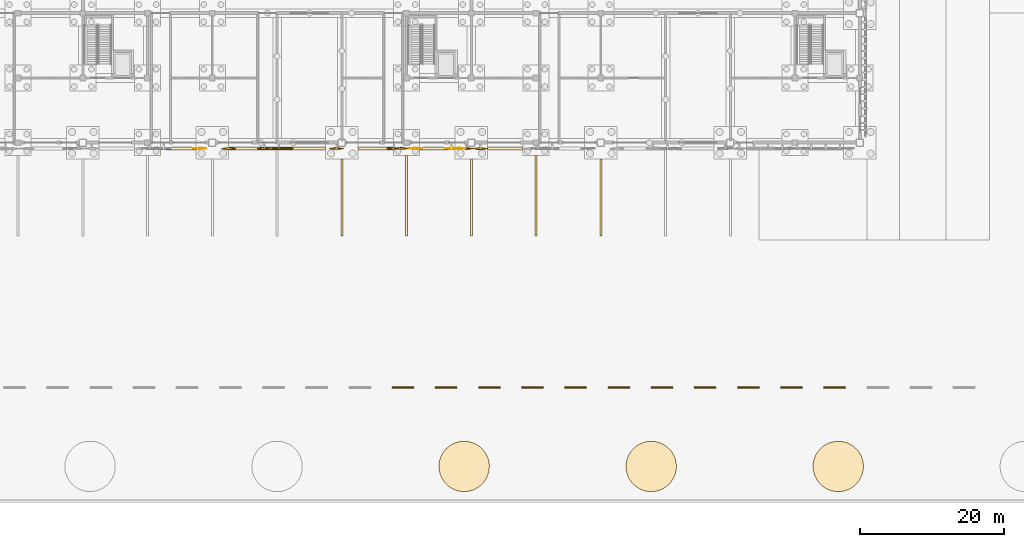
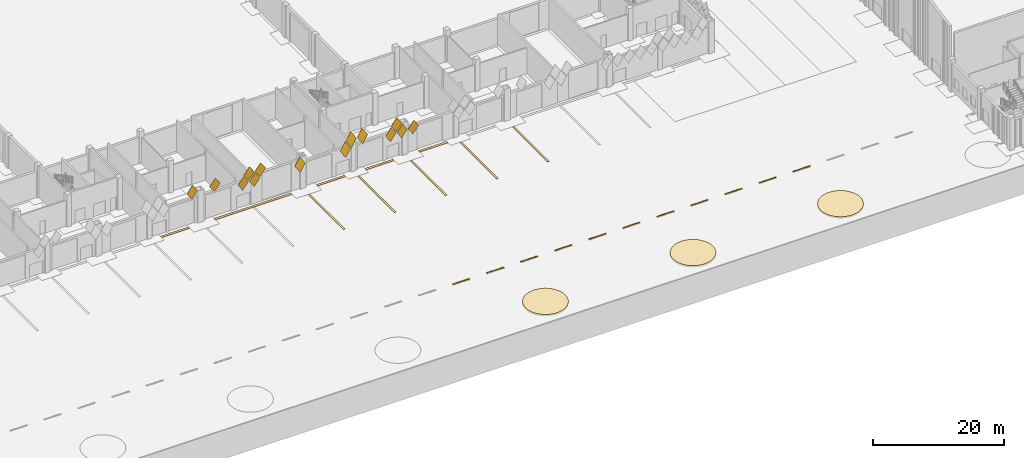
# One storey, part 159 of 198: 38 coverings.
"""IFC4 building model written with IfcOpenShell, lengths in metres."""

from ifc_helpers import new_model, si_unit, direction, frame, origin, place, context, subcontext, project, spatial, polyline, outline, extrude, material, layer, layer_set, material_profile, profile_set, type_object, element, save


model = new_model("IFC4")

# Units and contexts
model_context = context("Model", 3, precision=1e-05, world=origin(), true_north=direction((0.0, 1.0)))
body_context = subcontext(model_context, "Body", "Model", "MODEL_VIEW")
ifc_project = project(units=[si_unit("LENGTHUNIT", "METRE"), si_unit("AREAUNIT", "SQUARE_METRE"), si_unit("VOLUMEUNIT", "CUBIC_METRE"), si_unit("PLANEANGLEUNIT", "RADIAN"), si_unit("MASSUNIT", "GRAM", prefix="KILO")], contexts=[model_context])

# Site, building, storey
site_placement = place(None, origin())
site = spatial("IfcSite", under=ifc_project, at=site_placement, CompositionType="ELEMENT")
building_placement = place(site_placement, origin())
building = spatial("IfcBuilding", under=site, at=building_placement, Name="Opaline Strait Convention Centre", CompositionType="ELEMENT")
storey_placement = place(building_placement, origin())
storey = spatial("IfcBuildingStorey", under=building, at=storey_placement, Name="L00", CompositionType="ELEMENT", Elevation=0.0)

# Coverings
ifc_material_1 = material(Name="White ceramic-faced aluminium tile", Category="aluminium")
ifc_material_profile_1 = material_profile(ifc_material_1, outline(polyline([(0.927978515625, 0.0), (0.0, 1.39208984375), (-0.927978515625, 0.0), (0.0, -1.39208984375), (0.927978515625, 0.0)])), Name="Diamond tile 1856x2784")
ifc_profile_set_1 = profile_set([ifc_material_profile_1], Name="White ceramic-faced aluminium tile")
covering_type_1 = type_object("IfcCoveringType", Name="Diamond wall tile 1856x2784x30 pivot 3.5 deg", PredefinedType="CLADDING", material=ifc_profile_set_1)
for number, where, z_axis, x_axis, name in (
    (1, (204.25, 53.199951171875, 4.89208984375), (0.0, -0.99785694905, -0.065433242561), (1.0, 0.0, 0.0), "Wall tile XT07 S"),
    (2, (169.25, 53.199951171875, 6.39208984375), (0.0, -0.99785694905, -0.065433242561), (1.0, 0.0, 0.0), "Wall tile XT07 S"),
    (3, (205.25, 53.199951171875, 6.39208984375), (0.0, -0.99785694905, -0.065433242561), (1.0, 0.0, 0.0), "Wall tile XT07 S"),
):
    element("IfcCovering", number, at=place(storey_placement, frame(where, z_axis=z_axis, x_axis=x_axis)), inside=storey, type_object=covering_type_1, Name=name, PredefinedType="CLADDING", context=body_context, shape_type="SweptSolid", body=[
        extrude(outline(polyline([(0.927978515625, 0.0), (0.0, 1.39208984375), (-0.927978515625, 0.0), (0.0, -1.39208984375), (0.927978515625, 0.0)])), origin(), (0.0, 0.0, 1.0), 0.02978515625),
    ])
ifc_material_profile_2 = material_profile(ifc_material_1, outline(polyline([(0.927978515625, 0.0), (0.0, 1.39208984375), (-0.927978515625, 0.0), (0.0, -1.39208984375), (0.927978515625, 0.0)])), Name="Diamond tile 1856x2784")
ifc_profile_set_2 = profile_set([ifc_material_profile_2], Name="White ceramic-faced aluminium tile")
covering_type_2 = type_object("IfcCoveringType", Name="Diamond wall tile 1856x2784x30 pivot 4.5 deg", PredefinedType="CLADDING", material=ifc_profile_set_2)
covering_1_placement = place(storey_placement, frame((199.25, 53.199951171875, 6.39208984375), z_axis=(0.0, -0.997290013252, 0.073570574748), x_axis=(1.0, 0.0, 0.0)))
element("IfcCovering", 4, at=covering_1_placement, inside=storey, type_object=covering_type_2, Name="Wall tile XT09 S", PredefinedType="CLADDING", context=body_context, shape_type="SweptSolid", body=[
    extrude(outline(polyline([(0.927978515625, 0.0), (0.0, 1.39208984375), (-0.927978515625, 0.0), (0.0, -1.39208984375), (0.927978515625, 0.0)])), origin(), (0.0, 0.0, 1.0), 0.02978515625),
])
ifc_material_profile_3 = material_profile(ifc_material_1, outline(polyline([(0.927978515625, 0.0), (0.0, 1.39208984375), (-0.927978515625, 0.0), (0.0, -1.39208984375), (0.927978515625, 0.0)])), Name="Diamond tile 1856x2784")
ifc_profile_set_3 = profile_set([ifc_material_profile_3], Name="White ceramic-faced aluminium tile")
covering_type_3 = type_object("IfcCoveringType", Name="Diamond wall tile 1856x2784x30 pivot 5 deg", PredefinedType="CLADDING", material=ifc_profile_set_3)
for number, where, z_axis, x_axis, name in (
    (5, (180.25, 53.199951171875, 4.89208984375), (0.0, -0.995959849254, -0.089799658539), (1.0, 0.0, 0.0), "Wall tile XT10 S"),
    (6, (181.25, 53.199951171875, 6.39208984375), (0.0, -0.995959849254, -0.089799658539), (1.0, 0.0, 0.0), "Wall tile XT10 S"),
):
    element("IfcCovering", number, at=place(storey_placement, frame(where, z_axis=z_axis, x_axis=x_axis)), inside=storey, type_object=covering_type_3, Name=name, PredefinedType="CLADDING", context=body_context, shape_type="SweptSolid", body=[
        extrude(outline(polyline([(0.927978515625, 0.0), (0.0, 1.39208984375), (-0.927978515625, 0.0), (0.0, -1.39208984375), (0.927978515625, 0.0)])), origin(), (0.0, 0.0, 1.0), 0.02978515625),
    ])
ifc_material_profile_4 = material_profile(ifc_material_1, outline(polyline([(0.927978515625, 0.0), (0.0, 1.39208984375), (-0.927978515625, 0.0), (0.0, -1.39208984375), (0.927978515625, 0.0)])), Name="Diamond tile 1856x2784")
ifc_profile_set_4 = profile_set([ifc_material_profile_4], Name="White ceramic-faced aluminium tile")
covering_type_4 = type_object("IfcCoveringType", Name="Diamond wall tile 1856x2784x30 pivot 5.5 deg", PredefinedType="CLADDING", material=ifc_profile_set_4)
covering_2_placement = place(storey_placement, frame((206.25, 53.199951171875, 4.89208984375), z_axis=(0.0, -0.995197410875, -0.097888269922), x_axis=(1.0, 0.0, 0.0)))
element("IfcCovering", 7, at=covering_2_placement, inside=storey, type_object=covering_type_4, Name="Wall tile XT11 S", PredefinedType="CLADDING", context=body_context, shape_type="SweptSolid", body=[
    extrude(outline(polyline([(0.927978515625, 0.0), (0.0, 1.39208984375), (-0.927978515625, 0.0), (0.0, -1.39208984375), (0.927978515625, 0.0)])), origin(), (0.0, 0.0, 1.0), 0.030029296875),
])
ifc_material_profile_5 = material_profile(ifc_material_1, outline(polyline([(0.927978515625, 0.0), (0.0, 1.39208984375), (-0.927978515625, 0.0), (0.0, -1.39208984375), (0.927978515625, 0.0)])), Name="Diamond tile 1856x2784")
ifc_profile_set_5 = profile_set([ifc_material_profile_5], Name="White ceramic-faced aluminium tile")
covering_type_5 = type_object("IfcCoveringType", Name="Diamond wall tile 1856x2784x30 pivot 6 deg", PredefinedType="CLADDING", material=ifc_profile_set_5)
covering_3_placement = place(storey_placement, frame((188.25, 53.199951171875, 4.89208984375), z_axis=(0.0, -0.995197410875, 0.097888269922), x_axis=(1.0, 0.0, 0.0)))
element("IfcCovering", 8, at=covering_3_placement, inside=storey, type_object=covering_type_5, Name="Wall tile XT12 S", PredefinedType="CLADDING", context=body_context, shape_type="SweptSolid", body=[
    extrude(outline(polyline([(0.927978515625, 0.0), (0.0, 1.39208984375), (-0.927978515625, 0.0), (0.0, -1.39208984375), (0.927978515625, 0.0)])), origin(), (0.0, 0.0, 1.0), 0.030029296875),
])
ifc_material_profile_6 = material_profile(ifc_material_1, outline(polyline([(0.927978515625, 0.0), (0.0, 1.39208984375), (-0.927978515625, 0.0), (0.0, -1.39208984375), (0.927978515625, 0.0)])), Name="Diamond tile 1856x2784")
ifc_profile_set_6 = profile_set([ifc_material_profile_6], Name="White ceramic-faced aluminium tile")
covering_type_6 = type_object("IfcCoveringType", Name="Diamond wall tile 1856x2784x30 pivot 6.5 deg", PredefinedType="CLADDING", material=ifc_profile_set_6)
for number, where, z_axis, x_axis, name in (
    (9, (196.25, 53.199951171875, 4.89208984375), (0.0, -0.993480071526, 0.114005909847), (1.0, 0.0, 0.0), "Wall tile XT13 S"),
    (10, (197.25, 53.199951171875, 6.39208984375), (0.0, -0.993480071526, 0.114005909847), (1.0, 0.0, 0.0), "Wall tile XT13 S"),
):
    element("IfcCovering", number, at=place(storey_placement, frame(where, z_axis=z_axis, x_axis=x_axis)), inside=storey, type_object=covering_type_6, Name=name, PredefinedType="CLADDING", context=body_context, shape_type="SweptSolid", body=[
        extrude(outline(polyline([(0.927978515625, 0.0), (0.0, 1.39208984375), (-0.927978515625, 0.0), (0.0, -1.39208984375), (0.927978515625, 0.0)])), origin(), (0.0, 0.0, 1.0), 0.030029296875),
    ])
ifc_material_profile_7 = material_profile(ifc_material_1, outline(polyline([(0.927978515625, 0.0), (0.0, 1.39208984375), (-0.927978515625, 0.0), (0.0, -1.39208984375), (0.927978515625, 0.0)])), Name="Diamond tile 1856x2784")
ifc_profile_set_7 = profile_set([ifc_material_profile_7], Name="White ceramic-faced aluminium tile")
covering_type_7 = type_object("IfcCoveringType", Name="Diamond wall tile 1856x2784x30 pivot 7 deg", PredefinedType="CLADDING", material=ifc_profile_set_7)
for number, where, z_axis, x_axis, name in (
    (11, (178.25, 53.199951171875, 4.89208984375), (0.0, -0.992526177815, -0.122031907108), (1.0, 0.0, 0.0), "Wall tile XT14 S"),
    (12, (208.25, 53.199951171875, 4.89208984375), (0.0, -0.992526177815, -0.122031907108), (1.0, 0.0, 0.0), "Wall tile XT14 S"),
    (13, (179.25, 53.199951171875, 6.39208984375), (0.0, -0.992526177815, -0.122031907108), (1.0, 0.0, 0.0), "Wall tile XT14 S"),
):
    element("IfcCovering", number, at=place(storey_placement, frame(where, z_axis=z_axis, x_axis=x_axis)), inside=storey, type_object=covering_type_7, Name=name, PredefinedType="CLADDING", context=body_context, shape_type="SweptSolid", body=[
        extrude(outline(polyline([(0.927978515625, 0.0), (0.0, 1.39208984375), (-0.927978515625, 0.0), (0.0, -1.39208984375), (0.927978515625, 0.0)])), origin(), (0.0, 0.0, 1.0), 0.030029296875),
    ])
ifc_material_profile_8 = material_profile(ifc_material_1, outline(polyline([(0.927978515625, 0.0), (0.0, 1.39208984375), (-0.927978515625, 0.0), (0.0, -1.39208984375), (0.927978515625, 0.0)])), Name="Diamond tile 1856x2784")
ifc_profile_set_8 = profile_set([ifc_material_profile_8], Name="White ceramic-faced aluminium tile")
covering_type_8 = type_object("IfcCoveringType", Name="Diamond wall tile 1856x2784x30 pivot 7.5 deg", PredefinedType="CLADDING", material=ifc_profile_set_8)
covering_4_placement = place(storey_placement, frame((173.25, 53.199951171875, 6.39208984375), z_axis=(0.0, -0.991509530601, -0.1300340368), x_axis=(1.0, 0.0, 0.0)))
element("IfcCovering", 14, at=covering_4_placement, inside=storey, type_object=covering_type_8, Name="Wall tile XT15 S", PredefinedType="CLADDING", context=body_context, shape_type="SweptSolid", body=[
    extrude(outline(polyline([(0.927978515625, 0.0), (0.0, 1.39208984375), (-0.927978515625, 0.0), (0.0, -1.39208984375), (0.927978515625, 0.0)])), origin(), (0.0, 0.0, 1.0), 0.030029296875),
])
ifc_material_2 = material(Name="Planting soil and shrub planting")
ifc_layer_1 = layer(ifc_material_2, 0.300048828125)
ifc_layer_set_1 = layer_set([ifc_layer_1], Name="Planting soil and shrub planting")
covering_type_9 = type_object("IfcCoveringType", Name="Planted border bed 300", PredefinedType="USERDEFINED", material=ifc_layer_set_1)
covering_5_placement = place(storey_placement, frame((0.0, 0.0, -0.300048828125)))
element("IfcCovering", 15, at=covering_5_placement, inside=storey, type_object=covering_type_9, Name="Yard planting island 5 surfacing", ObjectType="LANDSCAPE", PredefinedType="USERDEFINED", context=body_context, shape_type="SweptSolid", body=[
    extrude(outline(polyline([(209.4326171875, 8.317138671875), (209.47021484375, 8.543212890625), (209.492431640625, 8.77099609375), (209.5, 9.0), (209.492431640625, 9.22900390625), (209.47021484375, 9.456787109375), (209.4326171875, 9.682861328125), (209.380615234375, 9.906005859375), (209.314208984375, 10.125), (209.233642578125, 10.33935546875), (209.13916015625, 10.548095703125), (209.031005859375, 10.75), (208.91015625, 10.944580078125), (208.776611328125, 11.130615234375), (208.63134765625, 11.3076171875), (208.474853515625, 11.474853515625), (208.3076171875, 11.63134765625), (208.130615234375, 11.776611328125), (207.944580078125, 11.91015625), (207.75, 12.031005859375), (207.548095703125, 12.13916015625), (207.33935546875, 12.233642578125), (207.125, 12.314208984375), (206.906005859375, 12.380615234375), (206.682861328125, 12.4326171875), (206.456787109375, 12.47021484375), (206.22900390625, 12.492431640625), (206.0, 12.5), (205.77099609375, 12.492431640625), (205.543212890625, 12.47021484375), (205.317138671875, 12.4326171875), (205.093994140625, 12.380615234375), (204.875, 12.314208984375), (204.66064453125, 12.233642578125), (204.451904296875, 12.13916015625), (204.25, 12.031005859375), (204.055419921875, 11.91015625), (203.869384765625, 11.776611328125), (203.6923828125, 11.63134765625), (203.525146484375, 11.474853515625), (203.36865234375, 11.3076171875), (203.223388671875, 11.130615234375), (203.08984375, 10.944580078125), (202.968994140625, 10.75), (202.86083984375, 10.548095703125), (202.766357421875, 10.33935546875), (202.685791015625, 10.125), (202.619384765625, 9.906005859375), (202.5673828125, 9.682861328125), (202.52978515625, 9.456787109375), (202.507568359375, 9.22900390625), (202.5, 9.0), (202.507568359375, 8.77099609375), (202.52978515625, 8.543212890625), (202.5673828125, 8.317138671875), (202.619384765625, 8.093994140625), (202.685791015625, 7.875), (202.766357421875, 7.66064453125), (202.86083984375, 7.451904296875), (202.968994140625, 7.25), (203.08984375, 7.055419921875), (203.223388671875, 6.869384765625), (203.36865234375, 6.6923828125), (203.525146484375, 6.525146484375), (203.6923828125, 6.36865234375), (203.869384765625, 6.223388671875), (204.055419921875, 6.08984375), (204.25, 5.968994140625), (204.451904296875, 5.86083984375), (204.66064453125, 5.766357421875), (204.875, 5.685791015625), (205.093994140625, 5.619384765625), (205.317138671875, 5.5673828125), (205.543212890625, 5.52978515625), (205.77099609375, 5.507568359375), (206.0, 5.5), (206.22900390625, 5.507568359375), (206.456787109375, 5.52978515625), (206.682861328125, 5.5673828125), (206.906005859375, 5.619384765625), (207.125, 5.685791015625), (207.33935546875, 5.766357421875), (207.548095703125, 5.86083984375), (207.75, 5.968994140625), (207.944580078125, 6.08984375), (208.130615234375, 6.223388671875), (208.3076171875, 6.36865234375), (208.474853515625, 6.525146484375), (208.63134765625, 6.6923828125), (208.776611328125, 6.869384765625), (208.91015625, 7.055419921875), (209.031005859375, 7.25), (209.13916015625, 7.451904296875), (209.233642578125, 7.66064453125), (209.314208984375, 7.875), (209.380615234375, 8.093994140625), (209.4326171875, 8.317138671875)])), origin(), (0.0, 0.0, 1.0), 0.300048828125),
])
covering_6_placement = place(storey_placement, frame((0.0, 0.0, -0.300048828125)))
element("IfcCovering", 16, at=covering_6_placement, inside=storey, type_object=covering_type_9, Name="Yard planting island 6 surfacing", ObjectType="LANDSCAPE", PredefinedType="USERDEFINED", context=body_context, shape_type="SweptSolid", body=[
    extrude(outline(polyline([(235.4326171875, 8.317138671875), (235.47021484375, 8.543212890625), (235.492431640625, 8.77099609375), (235.5, 9.0), (235.492431640625, 9.22900390625), (235.47021484375, 9.456787109375), (235.4326171875, 9.682861328125), (235.380615234375, 9.906005859375), (235.314208984375, 10.125), (235.233642578125, 10.33935546875), (235.13916015625, 10.548095703125), (235.031005859375, 10.75), (234.91015625, 10.944580078125), (234.776611328125, 11.130615234375), (234.63134765625, 11.3076171875), (234.474853515625, 11.474853515625), (234.3076171875, 11.63134765625), (234.130615234375, 11.776611328125), (233.944580078125, 11.91015625), (233.75, 12.031005859375), (233.548095703125, 12.13916015625), (233.33935546875, 12.233642578125), (233.125, 12.314208984375), (232.906005859375, 12.380615234375), (232.682861328125, 12.4326171875), (232.456787109375, 12.47021484375), (232.22900390625, 12.492431640625), (232.0, 12.5), (231.77099609375, 12.492431640625), (231.543212890625, 12.47021484375), (231.317138671875, 12.4326171875), (231.093994140625, 12.380615234375), (230.875, 12.314208984375), (230.66064453125, 12.233642578125), (230.451904296875, 12.13916015625), (230.25, 12.031005859375), (230.055419921875, 11.91015625), (229.869384765625, 11.776611328125), (229.6923828125, 11.63134765625), (229.525146484375, 11.474853515625), (229.36865234375, 11.3076171875), (229.223388671875, 11.130615234375), (229.08984375, 10.944580078125), (228.968994140625, 10.75), (228.86083984375, 10.548095703125), (228.766357421875, 10.33935546875), (228.685791015625, 10.125), (228.619384765625, 9.906005859375), (228.5673828125, 9.682861328125), (228.52978515625, 9.456787109375), (228.507568359375, 9.22900390625), (228.5, 9.0), (228.507568359375, 8.77099609375), (228.52978515625, 8.543212890625), (228.5673828125, 8.317138671875), (228.619384765625, 8.093994140625), (228.685791015625, 7.875), (228.766357421875, 7.66064453125), (228.86083984375, 7.451904296875), (228.968994140625, 7.25), (229.08984375, 7.055419921875), (229.223388671875, 6.869384765625), (229.36865234375, 6.6923828125), (229.525146484375, 6.525146484375), (229.6923828125, 6.36865234375), (229.869384765625, 6.223388671875), (230.055419921875, 6.08984375), (230.25, 5.968994140625), (230.451904296875, 5.86083984375), (230.66064453125, 5.766357421875), (230.875, 5.685791015625), (231.093994140625, 5.619384765625), (231.317138671875, 5.5673828125), (231.543212890625, 5.52978515625), (231.77099609375, 5.507568359375), (232.0, 5.5), (232.22900390625, 5.507568359375), (232.456787109375, 5.52978515625), (232.682861328125, 5.5673828125), (232.906005859375, 5.619384765625), (233.125, 5.685791015625), (233.33935546875, 5.766357421875), (233.548095703125, 5.86083984375), (233.75, 5.968994140625), (233.944580078125, 6.08984375), (234.130615234375, 6.223388671875), (234.3076171875, 6.36865234375), (234.474853515625, 6.525146484375), (234.63134765625, 6.6923828125), (234.776611328125, 6.869384765625), (234.91015625, 7.055419921875), (235.031005859375, 7.25), (235.13916015625, 7.451904296875), (235.233642578125, 7.66064453125), (235.314208984375, 7.875), (235.380615234375, 8.093994140625), (235.4326171875, 8.317138671875)])), origin(), (0.0, 0.0, 1.0), 0.300048828125),
])
covering_7_placement = place(storey_placement, frame((0.0, 0.0, -0.300048828125)))
element("IfcCovering", 17, at=covering_7_placement, inside=storey, type_object=covering_type_9, Name="Yard planting island 7 surfacing", ObjectType="LANDSCAPE", PredefinedType="USERDEFINED", context=body_context, shape_type="SweptSolid", body=[
    extrude(outline(polyline([(261.4326171875, 8.317138671875), (261.47021484375, 8.543212890625), (261.492431640625, 8.77099609375), (261.5, 9.0), (261.492431640625, 9.22900390625), (261.47021484375, 9.456787109375), (261.4326171875, 9.682861328125), (261.380615234375, 9.906005859375), (261.314208984375, 10.125), (261.233642578125, 10.33935546875), (261.13916015625, 10.548095703125), (261.031005859375, 10.75), (260.91015625, 10.944580078125), (260.776611328125, 11.130615234375), (260.63134765625, 11.3076171875), (260.474853515625, 11.474853515625), (260.3076171875, 11.63134765625), (260.130615234375, 11.776611328125), (259.944580078125, 11.91015625), (259.75, 12.031005859375), (259.548095703125, 12.13916015625), (259.33935546875, 12.233642578125), (259.125, 12.314208984375), (258.906005859375, 12.380615234375), (258.682861328125, 12.4326171875), (258.456787109375, 12.47021484375), (258.22900390625, 12.492431640625), (258.0, 12.5), (257.77099609375, 12.492431640625), (257.543212890625, 12.47021484375), (257.317138671875, 12.4326171875), (257.093994140625, 12.380615234375), (256.875, 12.314208984375), (256.66064453125, 12.233642578125), (256.451904296875, 12.13916015625), (256.25, 12.031005859375), (256.055419921875, 11.91015625), (255.869384765625, 11.776611328125), (255.6923828125, 11.63134765625), (255.525146484375, 11.474853515625), (255.36865234375, 11.3076171875), (255.223388671875, 11.130615234375), (255.08984375, 10.944580078125), (254.968994140625, 10.75), (254.86083984375, 10.548095703125), (254.766357421875, 10.33935546875), (254.685791015625, 10.125), (254.619384765625, 9.906005859375), (254.5673828125, 9.682861328125), (254.52978515625, 9.456787109375), (254.507568359375, 9.22900390625), (254.5, 9.0), (254.507568359375, 8.77099609375), (254.52978515625, 8.543212890625), (254.5673828125, 8.317138671875), (254.619384765625, 8.093994140625), (254.685791015625, 7.875), (254.766357421875, 7.66064453125), (254.86083984375, 7.451904296875), (254.968994140625, 7.25), (255.08984375, 7.055419921875), (255.223388671875, 6.869384765625), (255.36865234375, 6.6923828125), (255.525146484375, 6.525146484375), (255.6923828125, 6.36865234375), (255.869384765625, 6.223388671875), (256.055419921875, 6.08984375), (256.25, 5.968994140625), (256.451904296875, 5.86083984375), (256.66064453125, 5.766357421875), (256.875, 5.685791015625), (257.093994140625, 5.619384765625), (257.317138671875, 5.5673828125), (257.543212890625, 5.52978515625), (257.77099609375, 5.507568359375), (258.0, 5.5), (258.22900390625, 5.507568359375), (258.456787109375, 5.52978515625), (258.682861328125, 5.5673828125), (258.906005859375, 5.619384765625), (259.125, 5.685791015625), (259.33935546875, 5.766357421875), (259.548095703125, 5.86083984375), (259.75, 5.968994140625), (259.944580078125, 6.08984375), (260.130615234375, 6.223388671875), (260.3076171875, 6.36865234375), (260.474853515625, 6.525146484375), (260.63134765625, 6.6923828125), (260.776611328125, 6.869384765625), (260.91015625, 7.055419921875), (261.031005859375, 7.25), (261.13916015625, 7.451904296875), (261.233642578125, 7.66064453125), (261.314208984375, 7.875), (261.380615234375, 8.093994140625), (261.4326171875, 8.317138671875)])), origin(), (0.0, 0.0, 1.0), 0.300048828125),
])
ifc_material_3 = material(Name="Concrete C30 exposed aggregate", Category="concrete")
ifc_layer_2 = layer(ifc_material_3, 0.14990234375)
ifc_layer_set_2 = layer_set([ifc_layer_2], Name="Concrete C30 exposed aggregate")
covering_type_10 = type_object("IfcCoveringType", Name="Site paving 150", PredefinedType="FLOORING", material=ifc_layer_set_2)
covering_8_placement = place(storey_placement, frame((0.0, 0.0, -0.14990234375)))
element("IfcCovering", 18, at=covering_8_placement, inside=storey, type_object=covering_type_10, Name="Site paving surfacing", PredefinedType="FLOORING", context=body_context, shape_type="SweptSolid", body=[
    extrude(outline(polyline([(163.804931640625, 53.39501953125), (163.804931640625, 53.0), (168.7451171875, 53.0), (168.7451171875, 53.39501953125), (163.804931640625, 53.39501953125)])), origin(), (0.0, 0.0, 1.0), 0.14990234375),
])
covering_9_placement = place(storey_placement, frame((0.0, 0.0, -0.14990234375)))
element("IfcCovering", 19, at=covering_9_placement, inside=storey, type_object=covering_type_10, Name="Site paving surfacing", PredefinedType="FLOORING", context=body_context, shape_type="SweptSolid", body=[
    extrude(outline(polyline([(173.2548828125, 53.39501953125), (173.2548828125, 53.0), (186.7451171875, 53.0), (186.7451171875, 53.39501953125), (173.2548828125, 53.39501953125)])), origin(), (0.0, 0.0, 1.0), 0.14990234375),
])
covering_10_placement = place(storey_placement, frame((0.0, 0.0, -0.14990234375)))
element("IfcCovering", 20, at=covering_10_placement, inside=storey, type_object=covering_type_10, Name="Site paving surfacing", PredefinedType="FLOORING", context=body_context, shape_type="SweptSolid", body=[
    extrude(outline(polyline([(191.2548828125, 53.39501953125), (191.2548828125, 53.0), (196.195068359375, 53.0), (196.195068359375, 53.39501953125), (191.2548828125, 53.39501953125)])), origin(), (0.0, 0.0, 1.0), 0.14990234375),
])
covering_11_placement = place(storey_placement, frame((0.0, 0.0, -0.14990234375)))
element("IfcCovering", 21, at=covering_11_placement, inside=storey, type_object=covering_type_10, Name="Site paving surfacing", PredefinedType="FLOORING", context=body_context, shape_type="SweptSolid", body=[
    extrude(outline(polyline([(199.804931640625, 53.39501953125), (199.804931640625, 53.0), (204.7451171875, 53.0), (204.7451171875, 53.39501953125), (199.804931640625, 53.39501953125)])), origin(), (0.0, 0.0, 1.0), 0.14990234375),
])
covering_12_placement = place(storey_placement, frame((0.0, 0.0, -0.14990234375)))
element("IfcCovering", 22, at=covering_12_placement, inside=storey, type_object=covering_type_10, Name="Site paving surfacing", PredefinedType="FLOORING", context=body_context, shape_type="SweptSolid", body=[
    extrude(outline(polyline([(209.2548828125, 53.39501953125), (209.2548828125, 53.0), (214.195068359375, 53.0), (214.195068359375, 53.39501953125), (209.2548828125, 53.39501953125)])), origin(), (0.0, 0.0, 1.0), 0.14990234375),
])
ifc_material_4 = material(Name="Road marking paint on concrete", Category="concrete")
ifc_layer_3 = layer(ifc_material_4, 0.14990234375)
ifc_layer_set_3 = layer_set([ifc_layer_3], Name="Road marking paint on concrete")
covering_type_11 = type_object("IfcCoveringType", Name="Yard marking strip 150", PredefinedType="FLOORING", material=ifc_layer_set_3)
covering_13_placement = place(storey_placement, frame((0.0, 0.0, -0.14990234375)))
element("IfcCovering", 23, at=covering_13_placement, inside=storey, type_object=covering_type_11, Name="Truck bay line 11 surfacing", PredefinedType="FLOORING", context=body_context, shape_type="SweptSolid", body=[
    extrude(outline(polyline([(188.85009765625, 51.7451171875), (188.85009765625, 41.0), (189.14990234375, 41.0), (189.14990234375, 51.7451171875), (188.85009765625, 51.7451171875)])), origin(), (0.0, 0.0, 1.0), 0.14990234375),
])
covering_14_placement = place(storey_placement, frame((0.0, 0.0, -0.14990234375)))
element("IfcCovering", 24, at=covering_14_placement, inside=storey, type_object=covering_type_11, Name="Truck bay line 12 surfacing", PredefinedType="FLOORING", context=body_context, shape_type="SweptSolid", body=[
    extrude(outline(polyline([(197.85009765625, 52.195068359375), (197.85009765625, 41.0), (198.14990234375, 41.0), (198.14990234375, 52.195068359375), (197.85009765625, 52.195068359375)])), origin(), (0.0, 0.0, 1.0), 0.14990234375),
])
covering_15_placement = place(storey_placement, frame((0.0, 0.0, -0.14990234375)))
element("IfcCovering", 25, at=covering_15_placement, inside=storey, type_object=covering_type_11, Name="Truck bay line 13 surfacing", PredefinedType="FLOORING", context=body_context, shape_type="SweptSolid", body=[
    extrude(outline(polyline([(206.85009765625, 51.7451171875), (206.85009765625, 41.0), (207.14990234375, 41.0), (207.14990234375, 51.7451171875), (206.85009765625, 51.7451171875)])), origin(), (0.0, 0.0, 1.0), 0.14990234375),
])
covering_16_placement = place(storey_placement, frame((0.0, 0.0, -0.14990234375)))
element("IfcCovering", 26, at=covering_16_placement, inside=storey, type_object=covering_type_11, Name="Truck bay line 14 surfacing", PredefinedType="FLOORING", context=body_context, shape_type="SweptSolid", body=[
    extrude(outline(polyline([(215.85009765625, 52.195068359375), (215.85009765625, 41.0), (216.14990234375, 41.0), (216.14990234375, 52.195068359375), (215.85009765625, 52.195068359375)])), origin(), (0.0, 0.0, 1.0), 0.14990234375),
])
covering_17_placement = place(storey_placement, frame((0.0, 0.0, -0.14990234375)))
element("IfcCovering", 27, at=covering_17_placement, inside=storey, type_object=covering_type_11, Name="Truck bay line 15 surfacing", PredefinedType="FLOORING", context=body_context, shape_type="SweptSolid", body=[
    extrude(outline(polyline([(224.85009765625, 51.7451171875), (224.85009765625, 41.0), (225.14990234375, 41.0), (225.14990234375, 51.7451171875), (224.85009765625, 51.7451171875)])), origin(), (0.0, 0.0, 1.0), 0.14990234375),
])
covering_18_placement = place(storey_placement, frame((0.0, 0.0, -0.14990234375)))
element("IfcCovering", 28, at=covering_18_placement, inside=storey, type_object=covering_type_11, Name="Yard centre line dash 17 surfacing", PredefinedType="FLOORING", context=body_context, shape_type="SweptSolid", body=[
    extrude(outline(polyline([(199.0, 20.10009765625), (196.0, 20.10009765625), (196.0, 19.89990234375), (199.0, 19.89990234375), (199.0, 20.10009765625)])), origin(), (0.0, 0.0, 1.0), 0.14990234375),
])
covering_19_placement = place(storey_placement, frame((0.0, 0.0, -0.14990234375)))
element("IfcCovering", 29, at=covering_19_placement, inside=storey, type_object=covering_type_11, Name="Yard centre line dash 18 surfacing", PredefinedType="FLOORING", context=body_context, shape_type="SweptSolid", body=[
    extrude(outline(polyline([(205.0, 20.10009765625), (202.0, 20.10009765625), (202.0, 19.89990234375), (205.0, 19.89990234375), (205.0, 20.10009765625)])), origin(), (0.0, 0.0, 1.0), 0.14990234375),
])
covering_20_placement = place(storey_placement, frame((0.0, 0.0, -0.14990234375)))
element("IfcCovering", 30, at=covering_20_placement, inside=storey, type_object=covering_type_11, Name="Yard centre line dash 19 surfacing", PredefinedType="FLOORING", context=body_context, shape_type="SweptSolid", body=[
    extrude(outline(polyline([(211.0, 20.10009765625), (208.0, 20.10009765625), (208.0, 19.89990234375), (211.0, 19.89990234375), (211.0, 20.10009765625)])), origin(), (0.0, 0.0, 1.0), 0.14990234375),
])
covering_21_placement = place(storey_placement, frame((0.0, 0.0, -0.14990234375)))
element("IfcCovering", 31, at=covering_21_placement, inside=storey, type_object=covering_type_11, Name="Yard centre line dash 20 surfacing", PredefinedType="FLOORING", context=body_context, shape_type="SweptSolid", body=[
    extrude(outline(polyline([(217.0, 20.10009765625), (214.0, 20.10009765625), (214.0, 19.89990234375), (217.0, 19.89990234375), (217.0, 20.10009765625)])), origin(), (0.0, 0.0, 1.0), 0.14990234375),
])
covering_22_placement = place(storey_placement, frame((0.0, 0.0, -0.14990234375)))
element("IfcCovering", 32, at=covering_22_placement, inside=storey, type_object=covering_type_11, Name="Yard centre line dash 21 surfacing", PredefinedType="FLOORING", context=body_context, shape_type="SweptSolid", body=[
    extrude(outline(polyline([(223.0, 20.10009765625), (220.0, 20.10009765625), (220.0, 19.89990234375), (223.0, 19.89990234375), (223.0, 20.10009765625)])), origin(), (0.0, 0.0, 1.0), 0.14990234375),
])
covering_23_placement = place(storey_placement, frame((0.0, 0.0, -0.14990234375)))
element("IfcCovering", 33, at=covering_23_placement, inside=storey, type_object=covering_type_11, Name="Yard centre line dash 22 surfacing", PredefinedType="FLOORING", context=body_context, shape_type="SweptSolid", body=[
    extrude(outline(polyline([(229.0, 20.10009765625), (226.0, 20.10009765625), (226.0, 19.89990234375), (229.0, 19.89990234375), (229.0, 20.10009765625)])), origin(), (0.0, 0.0, 1.0), 0.14990234375),
])
covering_24_placement = place(storey_placement, frame((0.0, 0.0, -0.14990234375)))
element("IfcCovering", 34, at=covering_24_placement, inside=storey, type_object=covering_type_11, Name="Yard centre line dash 23 surfacing", PredefinedType="FLOORING", context=body_context, shape_type="SweptSolid", body=[
    extrude(outline(polyline([(235.0, 20.10009765625), (232.0, 20.10009765625), (232.0, 19.89990234375), (235.0, 19.89990234375), (235.0, 20.10009765625)])), origin(), (0.0, 0.0, 1.0), 0.14990234375),
])
covering_25_placement = place(storey_placement, frame((0.0, 0.0, -0.14990234375)))
element("IfcCovering", 35, at=covering_25_placement, inside=storey, type_object=covering_type_11, Name="Yard centre line dash 24 surfacing", PredefinedType="FLOORING", context=body_context, shape_type="SweptSolid", body=[
    extrude(outline(polyline([(241.0, 20.10009765625), (238.0, 20.10009765625), (238.0, 19.89990234375), (241.0, 19.89990234375), (241.0, 20.10009765625)])), origin(), (0.0, 0.0, 1.0), 0.14990234375),
])
covering_26_placement = place(storey_placement, frame((0.0, 0.0, -0.14990234375)))
element("IfcCovering", 36, at=covering_26_placement, inside=storey, type_object=covering_type_11, Name="Yard centre line dash 25 surfacing", PredefinedType="FLOORING", context=body_context, shape_type="SweptSolid", body=[
    extrude(outline(polyline([(247.0, 20.10009765625), (244.0, 20.10009765625), (244.0, 19.89990234375), (247.0, 19.89990234375), (247.0, 20.10009765625)])), origin(), (0.0, 0.0, 1.0), 0.14990234375),
])
covering_27_placement = place(storey_placement, frame((0.0, 0.0, -0.14990234375)))
element("IfcCovering", 37, at=covering_27_placement, inside=storey, type_object=covering_type_11, Name="Yard centre line dash 26 surfacing", PredefinedType="FLOORING", context=body_context, shape_type="SweptSolid", body=[
    extrude(outline(polyline([(253.0, 20.10009765625), (250.0, 20.10009765625), (250.0, 19.89990234375), (253.0, 19.89990234375), (253.0, 20.10009765625)])), origin(), (0.0, 0.0, 1.0), 0.14990234375),
])
covering_28_placement = place(storey_placement, frame((0.0, 0.0, -0.14990234375)))
element("IfcCovering", 38, at=covering_28_placement, inside=storey, type_object=covering_type_11, Name="Yard centre line dash 27 surfacing", PredefinedType="FLOORING", context=body_context, shape_type="SweptSolid", body=[
    extrude(outline(polyline([(259.0, 20.10009765625), (256.0, 20.10009765625), (256.0, 19.89990234375), (259.0, 19.89990234375), (259.0, 20.10009765625)])), origin(), (0.0, 0.0, 1.0), 0.14990234375),
])

save(model, "model.ifc")
